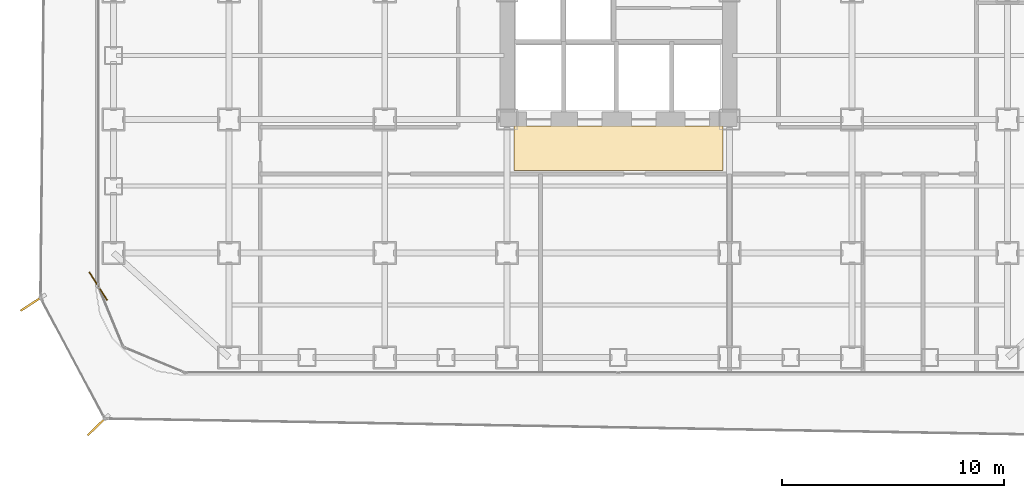
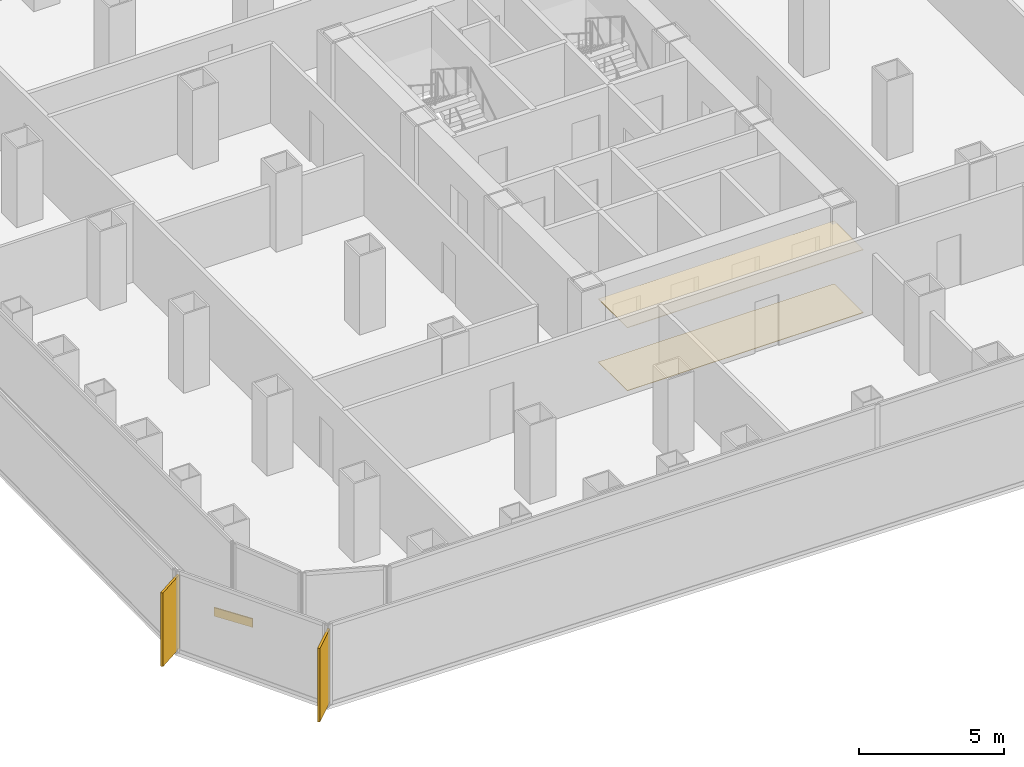
# One storey, part 19 of 21: 3 coverings, 2 shading devices.
"""IFC4 building model written with IfcOpenShell, lengths in metres."""

from ifc_helpers import new_model, si_unit, direction, frame, origin, origin_2d, place, context, subcontext, project, spatial, polyline, rectangle, outline, extrude, source, transform, mapped, material, layer, layer_set, type_object, element, save


model = new_model("IFC4")

# Units and contexts
model_context = context("Model", 3, precision=1e-05, world=origin(), true_north=direction((0.0, 1.0)))
body_context = subcontext(model_context, "Body", "Model", "MODEL_VIEW")
ifc_project = project(units=[si_unit("LENGTHUNIT", "METRE"), si_unit("AREAUNIT", "SQUARE_METRE"), si_unit("VOLUMEUNIT", "CUBIC_METRE"), si_unit("PLANEANGLEUNIT", "RADIAN"), si_unit("MASSUNIT", "GRAM", prefix="KILO")], contexts=[model_context])

# Site, building, storey
site_placement = place(None, origin())
site = spatial("IfcSite", under=ifc_project, at=site_placement, CompositionType="ELEMENT")
building_placement = place(site_placement, origin())
building = spatial("IfcBuilding", under=site, at=building_placement, Name="Kolveth Station Tower", CompositionType="ELEMENT")
storey_placement = place(building_placement, frame((0.0, 0.0, 40.5)))
storey = spatial("IfcBuildingStorey", under=building, at=storey_placement, Name="L10", CompositionType="ELEMENT", Elevation=40.5)

# Coverings
ifc_material_1 = material(Name="Acoustic mineral-fibre ceiling tile")
ifc_layer_1 = layer(ifc_material_1, 0.02490234375)
ifc_layer_set_1 = layer_set([ifc_layer_1], Name="Acoustic mineral-fibre ceiling tile")
covering_type_1 = type_object("IfcCoveringType", Name="Ceil_CL1", PredefinedType="CEILING", material=ifc_layer_set_1)
covering_1_placement = place(storey_placement, frame((0.0, 0.0, 2.64990234375)))
element("IfcCovering", 1, at=covering_1_placement, inside=storey, type_object=covering_type_1, Name="L10 Lift Lobby Suspended Ceiling", PredefinedType="CEILING", context=body_context, shape_type="SweptSolid", body=[
    extrude(outline(polyline([(18.800048828125, 9.199951171875), (28.199951171875, 9.199951171875), (28.199951171875, 11.199951171875), (18.800048828125, 11.199951171875), (18.800048828125, 9.199951171875)])), origin(), (0.0, 0.0, 1.0), 0.025146484375),
])
ifc_material_2 = material(Name="Honed terrazzo flooring")
ifc_layer_2 = layer(ifc_material_2, 0.02001953125)
ifc_layer_set_2 = layer_set([ifc_layer_2], Name="Honed terrazzo flooring")
covering_type_2 = type_object("IfcCoveringType", Name="Floor_FL1", PredefinedType="FLOORING", material=ifc_layer_set_2)
covering_2_placement = place(storey_placement, origin())
element("IfcCovering", 2, at=covering_2_placement, inside=storey, type_object=covering_type_2, Name="L10 Lift Lobby Floor Finish", PredefinedType="FLOORING", context=body_context, shape_type="SweptSolid", body=[
    extrude(outline(polyline([(18.800048828125, 9.199951171875), (28.199951171875, 9.199951171875), (28.199951171875, 11.199951171875), (18.800048828125, 11.199951171875), (18.800048828125, 9.199951171875)])), origin(), (0.0, 0.0, 1.0), 0.02001953125),
])

# Shading devices
ifc_material_3 = material(Name="Black anodized aluminium 6063-T6", Category="aluminium")
shading_device_type = type_object("IfcShadingDeviceType", Name="FIN_VF1", PredefinedType="USERDEFINED", material=ifc_material_3)
shared_shape_1 = source(origin(), body_context, "Body", "SweptSolid", [
    extrude(rectangle(XDim=1.25, YDim=0.090087890625, at=origin_2d()), origin(), (0.0, 0.0, 1.0), 3.10009765625),
])
for number, where, z_axis, x_axis, name in (
    (3, (-2.84912109375, 3.236083984375, 0.0), (0.0, 0.0, 1.0), (-0.840093553899, -0.542441536663, 0.0), "L10 Dark-Aluminium Solar Fin 7"),
    (4, (0.093994140625, -2.264892578125, 0.0), (0.0, 0.0, 1.0), (-0.720672122155, -0.693276057822, 0.0), "L10 Dark-Aluminium Solar Fin 8"),
):
    element("IfcShadingDevice", number, at=place(storey_placement, frame(where, z_axis=z_axis, x_axis=x_axis)), inside=storey, type_object=shading_device_type, Name=name, ObjectType="FIN", PredefinedType="USERDEFINED", context=body_context, shape_type="MappedRepresentation", body=[
        mapped(shared_shape_1, transform((0.0, 0.0, 0.0), x_axis=(1.0, 0.0, 0.0), y_axis=(0.0, 1.0, 0.0), z_axis=(0.0, 0.0, 1.0), scale=1.0)),
    ])

# Covering
ifc_material_4 = material(Name="Charcoal anodized aluminium spandrel cladding", Category="aluminium")
ifc_layer_3 = layer(ifc_material_4, 0.044921875)
ifc_layer_set_3 = layer_set([ifc_layer_3], Name="Charcoal anodized aluminium spandrel cladding")
covering_type_3 = type_object("IfcCoveringType", Name="Clad_CD1", PredefinedType="CLADDING", material=ifc_layer_set_3)
shared_shape_2 = source(origin(), body_context, "Body", "SweptSolid", [
    extrude(rectangle(XDim=1.5, YDim=0.044921875, at=origin_2d()), origin(), (0.0, 0.0, 1.0), 0.360107421875),
])
covering_3_placement = place(storey_placement, frame((0.1201171875, 4.0, 0.0), z_axis=(0.0, 0.0, 1.0), x_axis=(0.542441536663, -0.840093553899, 0.0)))
element("IfcCovering", 5, at=covering_3_placement, inside=storey, type_object=covering_type_3, Name="L10 Spandrel Edge Cladding 7", PredefinedType="CLADDING", context=body_context, shape_type="MappedRepresentation", body=[
    mapped(shared_shape_2, transform((0.0, 0.0, 0.0), x_axis=(1.0, 0.0, 0.0), y_axis=(0.0, 1.0, 0.0), z_axis=(0.0, 0.0, 1.0), scale=1.0)),
])

save(model, "model.ifc")
